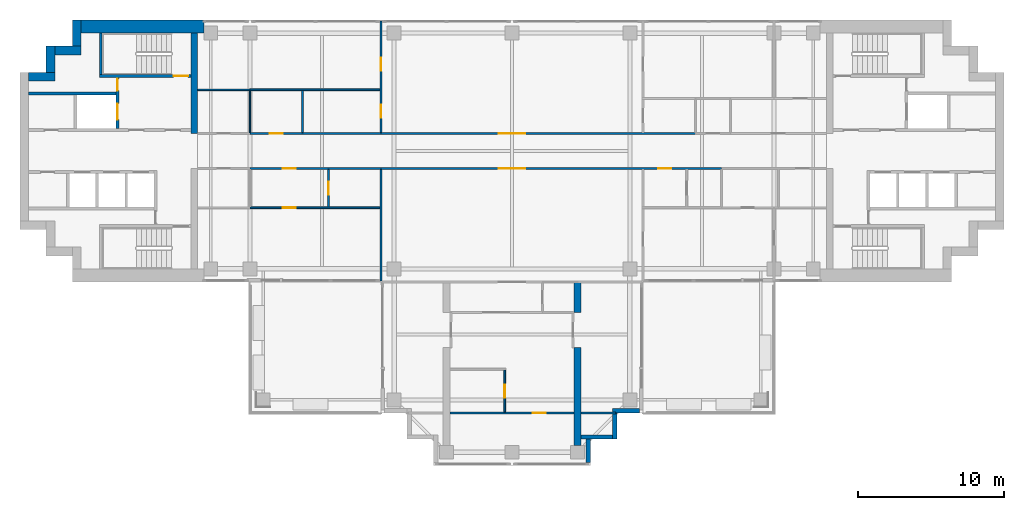
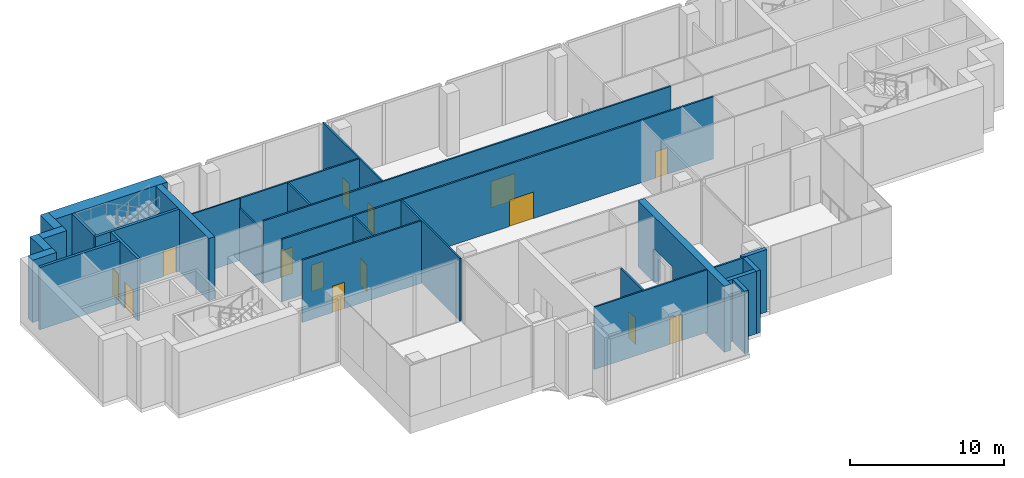
# One storey, part 6 of 12: 28 walls, 14 doors, 14 openings.
"""IFC4 building model written with IfcOpenShell, lengths in metres."""

from ifc_helpers import new_model, si_unit, direction, frame, frame_2d, origin, place, context, subcontext, project, spatial, polyline, rectangle, outline, extrude, material, layer, layer_set, material_profile, profile_set, type_object, element, fill, save


model = new_model("IFC4")

# Units and contexts
model_context = context("Model", 3, precision=1e-05, world=origin(), true_north=direction((0.0, 1.0)))
body_context = subcontext(model_context, "Body", "Model", "MODEL_VIEW")
ifc_project = project(units=[si_unit("LENGTHUNIT", "METRE"), si_unit("AREAUNIT", "SQUARE_METRE"), si_unit("VOLUMEUNIT", "CUBIC_METRE"), si_unit("PLANEANGLEUNIT", "RADIAN"), si_unit("MASSUNIT", "GRAM", prefix="KILO")], contexts=[model_context])

# Site, building, storey
site_placement = place(None, origin())
site = spatial("IfcSite", under=ifc_project, at=site_placement, CompositionType="ELEMENT")
building_placement = place(site_placement, origin())
building = spatial("IfcBuilding", under=site, at=building_placement, Name="Perihelion Cross Residences", CompositionType="ELEMENT")
storey_placement = place(building_placement, frame((0.0, 0.0, 222.60009765625)))
storey = spatial("IfcBuildingStorey", under=building, at=storey_placement, Name="L56", CompositionType="ELEMENT", Elevation=222.60009765625)

# Walls
ifc_material_1 = material(Name="Concrete C30/37, bronze-clad", Category="concrete")
ifc_layer_1 = layer(ifc_material_1, 0.300048828125)
ifc_layer_set_1 = layer_set([ifc_layer_1], Name="Bronze-clad serration wall 300")
wall_type_1 = type_object("IfcWallType", Name="Bronze-clad serration wall 300", PredefinedType="SOLIDWALL", material=ifc_layer_set_1)
wall_1_placement = place(storey_placement, frame((5.25, -21.389892578125, 0.0), z_axis=(0.0, 0.0, 1.0), x_axis=(0.0, 1.0, 0.0)))
element("IfcWall", 1, at=wall_1_placement, inside=storey, type_object=wall_type_1, Name="Wall SR1 L56 south corner south-east 1", PredefinedType="SOLIDWALL", context=body_context, shape_type="SweptSolid", body=[
    extrude(rectangle(XDim=1.58984375, YDim=0.300048828125, at=frame_2d((0.794921875, 0.0))), origin(), (0.0, 0.0, 1.0), 4.949951171875),
])
wall_2_placement = place(storey_placement, frame((4.75, -19.64990234375, 0.0), z_axis=(0.0, 0.0, 1.0), x_axis=(1.0, 0.0, 0.0)))
element("IfcWall", 2, at=wall_2_placement, inside=storey, type_object=wall_type_1, Name="Wall SR1 L56 south corner south-east 2", PredefinedType="SOLIDWALL", context=body_context, shape_type="SweptSolid", body=[
    extrude(rectangle(XDim=2.14990234375, YDim=0.300048828125, at=frame_2d((1.074951171875, 0.0))), origin(), (0.0, 0.0, 1.0), 4.949951171875),
])
wall_3_placement = place(storey_placement, frame((7.050048828125, -19.800048828125, 0.0), z_axis=(0.0, 0.0, 1.0), x_axis=(0.0, 1.0, 0.0)))
element("IfcWall", 3, at=wall_3_placement, inside=storey, type_object=wall_type_1, Name="Wall SR1 L56 south corner south-east 3", PredefinedType="SOLIDWALL", context=body_context, shape_type="SweptSolid", body=[
    extrude(rectangle(XDim=1.800048828125, YDim=0.300048828125, at=frame_2d((0.89990234375, 0.0))), origin(), (0.0, 0.0, 1.0), 4.949951171875),
])
wall_4_placement = place(storey_placement, frame((6.89990234375, -17.85009765625, 0.0), z_axis=(0.0, 0.0, 1.0), x_axis=(1.0, 0.0, 0.0)))
element("IfcWall", 4, at=wall_4_placement, inside=storey, type_object=wall_type_1, Name="Wall SR1 L56 south corner south-east 4", PredefinedType="SOLIDWALL", context=body_context, shape_type="SweptSolid", body=[
    extrude(rectangle(XDim=1.85009765625, YDim=0.300048828125, at=frame_2d((0.925048828125, 0.0))), origin(), (0.0, 0.0, 1.0), 4.949951171875),
])
ifc_material_2 = material(Name="Concrete C60/75", Category="concrete")
ifc_layer_2 = layer(ifc_material_2, 0.449951171875)
ifc_layer_set_2 = layer_set([ifc_layer_2], Name="Core wall, inner 450")
wall_type_2 = type_object("IfcWallType", Name="Core wall, inner 450", PredefinedType="SHEAR", material=ifc_layer_set_2)
wall_5_placement = place(storey_placement, frame((-21.824951171875, 1.199951171875, 0.0), z_axis=(0.0, 0.0, 1.0), x_axis=(0.0, 1.0, 0.0)))
element("IfcWall", 5, at=wall_5_placement, inside=storey, type_object=wall_type_2, Name="West core core wall, inner", PredefinedType="SHEAR", context=body_context, shape_type="SweptSolid", body=[
    extrude(rectangle(XDim=6.900146484375, YDim=0.449951171875, at=frame_2d((3.4501953125, 0.0))), origin(), (0.0, 0.0, 1.0), 4.949951171875),
])
ifc_material_3 = material(Name="Concrete C60/75", Category="concrete")
ifc_layer_3 = layer(ifc_material_3, 0.60009765625)
ifc_layer_set_3 = layer_set([ifc_layer_3], Name="Core wall, outer 600")
wall_type_3 = type_object("IfcWallType", Name="Core wall, outer 600", PredefinedType="SHEAR", material=ifc_layer_set_3)
for number, where, z_axis, x_axis, name in (
    (6, (-33.199951171875, 5.10009765625, 0.0), (0.0, 0.0, 1.0), (1.0, 0.0, 0.0), "West core core wall, outer"),
    (7, (-31.699951171875, 5.39990234375, 0.0), (0.0, 0.0, 1.0), (0.0, 1.0, 0.0), "West core core wall, outer"),
):
    element("IfcWall", number, at=place(storey_placement, frame(where, z_axis=z_axis, x_axis=x_axis)), inside=storey, type_object=wall_type_3, Name=name, PredefinedType="SHEAR", context=body_context, shape_type="SweptSolid", body=[
        extrude(rectangle(XDim=1.800048828125, YDim=0.60009765625, at=frame_2d((0.89990234375, 0.0))), origin(), (0.0, 0.0, 1.0), 4.949951171875),
    ])
wall_6_placement = place(storey_placement, frame((-31.39990234375, 6.89990234375, 0.0), z_axis=(0.0, 0.0, 1.0), x_axis=(1.0, 0.0, 0.0)))
element("IfcWall", 8, at=wall_6_placement, inside=storey, type_object=wall_type_3, Name="West core core wall, outer", PredefinedType="SHEAR", context=body_context, shape_type="SweptSolid", body=[
    extrude(rectangle(XDim=1.7998046875, YDim=0.60009765625, at=frame_2d((0.89990234375, 0.0))), origin(), (0.0, 0.0, 1.0), 4.949951171875),
])
wall_7_placement = place(storey_placement, frame((-29.89990234375, 7.199951171875, 0.0), z_axis=(0.0, 0.0, 1.0), x_axis=(0.0, 1.0, 0.0)))
element("IfcWall", 9, at=wall_7_placement, inside=storey, type_object=wall_type_3, Name="West core core wall, outer", PredefinedType="SHEAR", context=body_context, shape_type="SweptSolid", body=[
    extrude(rectangle(XDim=1.800048828125, YDim=0.60009765625, at=frame_2d((0.89990234375, 0.0))), origin(), (0.0, 0.0, 1.0), 4.949951171875),
])
ifc_material_4 = material(Name="Concrete C60/75", Category="concrete")
ifc_layer_4 = layer(ifc_material_4, 0.89990234375)
ifc_layer_set_4 = layer_set([ifc_layer_4], Name="Core wall, outer 900")
wall_type_4 = type_object("IfcWallType", Name="Core wall, outer 900", PredefinedType="SHEAR", material=ifc_layer_set_4)
wall_8_placement = place(storey_placement, frame((-29.60009765625, 8.550048828125, 0.0), z_axis=(0.0, 0.0, 1.0), x_axis=(1.0, 0.0, 0.0)))
element("IfcWall", 10, at=wall_8_placement, inside=storey, type_object=wall_type_4, Name="West core core wall, outer", PredefinedType="SHEAR", context=body_context, shape_type="SweptSolid", body=[
    extrude(rectangle(XDim=8.425048828125, YDim=0.89990234375, at=frame_2d((4.21240234375, 0.0))), origin(), (0.0, 0.0, 1.0), 4.949951171875),
])

# Wall, openings, doors
ifc_material_5 = material(Name="Plasterboard partition")
ifc_layer_5 = layer(ifc_material_5, 0.1201171875)
ifc_layer_set_5 = layer_set([ifc_layer_5], Name="Partition wall 120")
wall_type_5 = type_object("IfcWallType", Name="Partition wall 120", PredefinedType="PARTITIONING", material=ifc_layer_set_5)
wall_9_placement = place(storey_placement, frame((-18.0, 1.199951171875, 0.0), z_axis=(0.0, 0.0, 1.0), x_axis=(1.0, 0.0, 0.0)))
wall_9 = element("IfcWall", 11, at=wall_9_placement, inside=storey, type_object=wall_type_5, Name="Partition L56 W001", PredefinedType="PARTITIONING", context=body_context, shape_type="SweptSolid", body=[
    extrude(rectangle(XDim=30.60009765625, YDim=0.1201171875, at=frame_2d((15.300048828125, 0.0))), origin(), (0.0, 0.0, 1.0), 4.949951171875),
])
opening_1_placement = place(wall_9_placement, frame((17.10009765625, 0.0, 0.0)))
opening_1 = element("IfcOpeningElement", 12, at=opening_1_placement, cuts=wall_9, Name="Opening L56.A01", PredefinedType="OPENING", context=body_context, shape_type="SweptSolid", body=[
    extrude(rectangle(XDim=1.800048828125, YDim=2.10009765625, at=frame_2d((0.89990234375, 1.050048828125))), frame((0.0, 0.070068359375, 0.0), z_axis=(0.0, -1.0, 0.0), x_axis=(1.0, 0.0, 0.0)), (0.0, 0.0, 1.0), 0.14013671875),
])
opening_2_placement = place(wall_9_placement, frame((1.35009765625, 0.0, 0.0)))
opening_2 = element("IfcOpeningElement", 13, at=opening_2_placement, cuts=wall_9, Name="Opening L56.A07", PredefinedType="OPENING", context=body_context, shape_type="SweptSolid", body=[
    extrude(rectangle(XDim=0.89990234375, YDim=2.10009765625, at=frame_2d((0.449951171875, 1.050048828125))), frame((0.0, 0.070068359375, 0.0), z_axis=(0.0, -1.0, 0.0), x_axis=(1.0, 0.0, 0.0)), (0.0, 0.0, 1.0), 0.14013671875),
])
ifc_material_6 = material(Name="Glazed timber door leaf", Category="wood")
door_type_1 = type_object("IfcDoorType", Name="Interior double leaf door 1800 x 2100", OperationType="DOUBLE_DOOR_SINGLE_SWING", PredefinedType="DOOR", material=ifc_material_6)
door_1_placement = place(opening_1_placement, origin())
door_1 = element("IfcDoor", 14, at=door_1_placement, inside=storey, type_object=door_type_1, Name="Door L56.A01", OperationType="SINGLE_SWING_LEFT", OverallHeight=2.10009765625, OverallWidth=1.800048828125, PredefinedType="DOOR", context=body_context, shape_type="SweptSolid", body=[
    extrude(rectangle(XDim=1.800048828125, YDim=2.10009765625, at=frame_2d((0.89990234375, 1.050048828125))), frame((0.0, 0.02490234375, 0.0), z_axis=(0.0, -1.0, 0.0), x_axis=(1.0, 0.0, 0.0)), (0.0, 0.0, 1.0), 0.050048828125),
])
fill(opening_1, door_1)
ifc_material_7 = material(Name="Timber door leaf", Category="wood")
door_type_2 = type_object("IfcDoorType", Name="Interior room door 900 x 2100", OperationType="SINGLE_SWING_LEFT", PredefinedType="DOOR", material=ifc_material_7)
door_2_placement = place(opening_2_placement, origin())
door_2 = element("IfcDoor", 15, at=door_2_placement, inside=storey, type_object=door_type_2, Name="Door L56.A07", OperationType="SINGLE_SWING_RIGHT", OverallHeight=2.10009765625, OverallWidth=0.89990234375, PredefinedType="DOOR", context=body_context, shape_type="SweptSolid", body=[
    extrude(rectangle(XDim=0.89990234375, YDim=2.10009765625, at=frame_2d((0.449951171875, 1.050048828125))), frame((0.0, 0.02490234375, 0.0), z_axis=(0.0, -1.0, 0.0), x_axis=(1.0, 0.0, 0.0)), (0.0, 0.0, 1.0), 0.050048828125),
])
fill(opening_2, door_2)

wall_10_placement = place(storey_placement, frame((14.39990234375, -1.199951171875, 0.0), z_axis=(0.0, 0.0, 1.0), x_axis=(-1.0, 0.0, 0.0)))
wall_10 = element("IfcWall", 16, at=wall_10_placement, inside=storey, type_object=wall_type_5, Name="Partition L56 W002", PredefinedType="PARTITIONING", context=body_context, shape_type="SweptSolid", body=[
    extrude(rectangle(XDim=32.39990234375, YDim=0.1201171875, at=frame_2d((16.199951171875, 0.0))), origin(), (0.0, 0.0, 1.0), 4.949951171875),
])
opening_3_placement = place(wall_10_placement, frame((13.5, 0.0, 0.0)))
opening_3 = element("IfcOpeningElement", 17, at=opening_3_placement, cuts=wall_10, Name="Opening L56.A02", PredefinedType="OPENING", context=body_context, shape_type="SweptSolid", body=[
    extrude(rectangle(XDim=1.800048828125, YDim=2.10009765625, at=frame_2d((0.89990234375, 1.050048828125))), frame((0.0, 0.070068359375, 0.0), z_axis=(0.0, -1.0, 0.0), x_axis=(1.0, 0.0, 0.0)), (0.0, 0.0, 1.0), 0.14013671875),
])
opening_4_placement = place(wall_10_placement, frame((3.449951171875, 0.0, 0.0)))
opening_4 = element("IfcOpeningElement", 18, at=opening_4_placement, cuts=wall_10, Name="Opening L56.A05", PredefinedType="OPENING", context=body_context, shape_type="SweptSolid", body=[
    extrude(rectangle(XDim=0.89990234375, YDim=2.10009765625, at=frame_2d((0.449951171875, 1.050048828125))), frame((0.0, 0.070068359375, 0.0), z_axis=(0.0, -1.0, 0.0), x_axis=(1.0, 0.0, 0.0)), (0.0, 0.0, 1.0), 0.14013671875),
])
opening_5_placement = place(wall_10_placement, frame((29.25, 0.0, 0.0)))
opening_5 = element("IfcOpeningElement", 19, at=opening_5_placement, cuts=wall_10, Name="Opening L56.A09", PredefinedType="OPENING", context=body_context, shape_type="SweptSolid", body=[
    extrude(rectangle(XDim=0.89990234375, YDim=2.10009765625, at=frame_2d((0.449951171875, 1.050048828125))), frame((0.0, 0.070068359375, 0.0), z_axis=(0.0, -1.0, 0.0), x_axis=(1.0, 0.0, 0.0)), (0.0, 0.0, 1.0), 0.14013671875),
])
door_3_placement = place(opening_3_placement, origin())
door_3 = element("IfcDoor", 20, at=door_3_placement, inside=storey, type_object=door_type_1, Name="Door L56.A02", OperationType="SINGLE_SWING_LEFT", OverallHeight=2.10009765625, OverallWidth=1.800048828125, PredefinedType="DOOR", context=body_context, shape_type="SweptSolid", body=[
    extrude(rectangle(XDim=1.800048828125, YDim=2.10009765625, at=frame_2d((0.89990234375, 1.050048828125))), frame((0.0, 0.02490234375, 0.0), z_axis=(0.0, -1.0, 0.0), x_axis=(1.0, 0.0, 0.0)), (0.0, 0.0, 1.0), 0.050048828125),
])
fill(opening_3, door_3)
door_4_placement = place(opening_4_placement, origin())
door_4 = element("IfcDoor", 21, at=door_4_placement, inside=storey, type_object=door_type_2, Name="Door L56.A05", OperationType="SINGLE_SWING_LEFT", OverallHeight=2.10009765625, OverallWidth=0.89990234375, PredefinedType="DOOR", context=body_context, shape_type="SweptSolid", body=[
    extrude(rectangle(XDim=0.89990234375, YDim=2.10009765625, at=frame_2d((0.449951171875, 1.050048828125))), frame((0.0, 0.02490234375, 0.0), z_axis=(0.0, -1.0, 0.0), x_axis=(1.0, 0.0, 0.0)), (0.0, 0.0, 1.0), 0.050048828125),
])
fill(opening_4, door_4)
door_5_placement = place(opening_5_placement, origin())
door_5 = element("IfcDoor", 22, at=door_5_placement, inside=storey, type_object=door_type_2, Name="Door L56.A09", OperationType="SINGLE_SWING_LEFT", OverallHeight=2.10009765625, OverallWidth=0.89990234375, PredefinedType="DOOR", context=body_context, shape_type="SweptSolid", body=[
    extrude(rectangle(XDim=0.89990234375, YDim=2.10009765625, at=frame_2d((0.449951171875, 1.050048828125))), frame((0.0, 0.02490234375, 0.0), z_axis=(0.0, -1.0, 0.0), x_axis=(1.0, 0.0, 0.0)), (0.0, 0.0, 1.0), 0.050048828125),
])
fill(opening_5, door_5)

wall_11_placement = place(storey_placement, frame((-9.0, 1.260009765625, 0.0), z_axis=(0.0, 0.0, 1.0), x_axis=(0.0, 1.0, 0.0)))
wall_11 = element("IfcWall", 23, at=wall_11_placement, inside=storey, type_object=wall_type_5, Name="Partition L56 W009", PredefinedType="PARTITIONING", context=body_context, shape_type="SweptSolid", body=[
    extrude(rectangle(XDim=7.659912109375, YDim=0.1201171875, at=frame_2d((3.830078125, 0.0))), origin(), (0.0, 0.0, 1.0), 4.949951171875),
])
opening_6_placement = place(wall_11_placement, frame((4.239990234375, 0.0, 0.0)))
opening_6 = element("IfcOpeningElement", 24, at=opening_6_placement, cuts=wall_11, Name="Opening L56.A15", PredefinedType="OPENING", context=body_context, shape_type="SweptSolid", body=[
    extrude(rectangle(XDim=0.89990234375, YDim=2.10009765625, at=frame_2d((0.449951171875, 1.050048828125))), frame((0.0, 0.070068359375, 0.0), z_axis=(0.0, -1.0, 0.0), x_axis=(1.0, 0.0, 0.0)), (0.0, 0.0, 1.0), 0.14013671875),
])
opening_7_placement = place(wall_11_placement, frame((1.02001953125, 0.0, 0.0)))
opening_7 = element("IfcOpeningElement", 25, at=opening_7_placement, cuts=wall_11, Name="Opening L56.A20", PredefinedType="OPENING", context=body_context, shape_type="SweptSolid", body=[
    extrude(rectangle(XDim=0.89990234375, YDim=2.10009765625, at=frame_2d((0.449951171875, 1.050048828125))), frame((0.0, 0.070068359375, 0.0), z_axis=(0.0, -1.0, 0.0), x_axis=(1.0, 0.0, 0.0)), (0.0, 0.0, 1.0), 0.14013671875),
])
door_6_placement = place(opening_6_placement, origin())
door_6 = element("IfcDoor", 26, at=door_6_placement, inside=storey, type_object=door_type_2, Name="Door L56.A15", OperationType="SINGLE_SWING_RIGHT", OverallHeight=2.10009765625, OverallWidth=0.89990234375, PredefinedType="DOOR", context=body_context, shape_type="SweptSolid", body=[
    extrude(rectangle(XDim=0.89990234375, YDim=2.10009765625, at=frame_2d((0.449951171875, 1.050048828125))), frame((0.0, 0.02490234375, 0.0), z_axis=(0.0, -1.0, 0.0), x_axis=(1.0, 0.0, 0.0)), (0.0, 0.0, 1.0), 0.050048828125),
])
fill(opening_6, door_6)
door_7_placement = place(opening_7_placement, origin())
door_7 = element("IfcDoor", 27, at=door_7_placement, inside=storey, type_object=door_type_2, Name="Door L56.A20", OperationType="SINGLE_SWING_LEFT", OverallHeight=2.10009765625, OverallWidth=0.89990234375, PredefinedType="DOOR", context=body_context, shape_type="SweptSolid", body=[
    extrude(rectangle(XDim=0.89990234375, YDim=2.10009765625, at=frame_2d((0.449951171875, 1.050048828125))), frame((0.0, 0.02490234375, 0.0), z_axis=(0.0, -1.0, 0.0), x_axis=(1.0, 0.0, 0.0)), (0.0, 0.0, 1.0), 0.050048828125),
])
fill(opening_7, door_7)

# Walls
wall_12_placement = place(storey_placement, frame((-9.0, -8.919921875, 0.0), z_axis=(0.0, 0.0, 1.0), x_axis=(0.0, 1.0, 0.0)))
element("IfcWall", 28, at=wall_12_placement, inside=storey, type_object=wall_type_5, Name="Partition L56 W011", PredefinedType="PARTITIONING", context=body_context, shape_type="SweptSolid", body=[
    extrude(rectangle(XDim=7.659912109375, YDim=0.1201171875, at=frame_2d((3.830078125, 0.0))), origin(), (0.0, 0.0, 1.0), 4.949951171875),
])
wall_13_placement = place(storey_placement, frame((-8.93994140625, 4.199951171875, 0.0), z_axis=(0.0, 0.0, 1.0), x_axis=(-1.0, 0.0, 0.0)))
element("IfcWall", 29, at=wall_13_placement, inside=storey, type_object=wall_type_5, Name="Partition L56 W027", PredefinedType="PARTITIONING", context=body_context, shape_type="SweptSolid", body=[
    extrude(rectangle(XDim=9.06005859375, YDim=0.1201171875, at=frame_2d((4.530029296875, 0.0))), origin(), (0.0, 0.0, 1.0), 4.949951171875),
])
wall_14_placement = place(storey_placement, frame((-14.39990234375, 1.260009765625, 0.0), z_axis=(0.0, 0.0, 1.0), x_axis=(0.0, 1.0, 0.0)))
element("IfcWall", 30, at=wall_14_placement, inside=storey, type_object=wall_type_5, Name="Partition L56 W029", PredefinedType="PARTITIONING", context=body_context, shape_type="SweptSolid", body=[
    extrude(rectangle(XDim=2.8798828125, YDim=0.1201171875, at=frame_2d((1.43994140625, 0.0))), origin(), (0.0, 0.0, 1.0), 4.949951171875),
])

# Wall, opening, door
wall_15_placement = place(storey_placement, frame((-18.0, -3.89990234375, 0.0), z_axis=(0.0, 0.0, 1.0), x_axis=(1.0, 0.0, 0.0)))
wall_15 = element("IfcWall", 31, at=wall_15_placement, inside=storey, type_object=wall_type_5, Name="Partition L56 W031", PredefinedType="PARTITIONING", context=body_context, shape_type="SweptSolid", body=[
    extrude(rectangle(XDim=9.06005859375, YDim=0.1201171875, at=frame_2d((4.530029296875, 0.0))), origin(), (0.0, 0.0, 1.0), 4.949951171875),
])
opening_8_placement = place(wall_15_placement, frame((2.25, 0.0, 0.0)))
opening_8 = element("IfcOpeningElement", 32, at=opening_8_placement, cuts=wall_15, Name="Opening L56.A17", PredefinedType="OPENING", context=body_context, shape_type="SweptSolid", body=[
    extrude(rectangle(XDim=0.89990234375, YDim=2.10009765625, at=frame_2d((0.449951171875, 1.050048828125))), frame((0.0, 0.070068359375, 0.0), z_axis=(0.0, -1.0, 0.0), x_axis=(1.0, 0.0, 0.0)), (0.0, 0.0, 1.0), 0.14013671875),
])
door_8_placement = place(opening_8_placement, origin())
door_8 = element("IfcDoor", 33, at=door_8_placement, inside=storey, type_object=door_type_2, Name="Door L56.A17", OperationType="SINGLE_SWING_RIGHT", OverallHeight=2.10009765625, OverallWidth=0.89990234375, PredefinedType="DOOR", context=body_context, shape_type="SweptSolid", body=[
    extrude(rectangle(XDim=0.89990234375, YDim=2.10009765625, at=frame_2d((0.449951171875, 1.050048828125))), frame((0.0, 0.02490234375, 0.0), z_axis=(0.0, -1.0, 0.0), x_axis=(1.0, 0.0, 0.0)), (0.0, 0.0, 1.0), 0.050048828125),
])
fill(opening_8, door_8)

wall_16_placement = place(storey_placement, frame((-12.60009765625, -3.840087890625, 0.0), z_axis=(0.0, 0.0, 1.0), x_axis=(0.0, 1.0, 0.0)))
wall_16 = element("IfcWall", 34, at=wall_16_placement, inside=storey, type_object=wall_type_5, Name="Partition L56 W033", PredefinedType="PARTITIONING", context=body_context, shape_type="SweptSolid", body=[
    extrude(rectangle(XDim=2.580078125, YDim=0.1201171875, at=frame_2d((1.2900390625, 0.0))), origin(), (0.0, 0.0, 1.0), 4.949951171875),
])
opening_9_placement = place(wall_16_placement, frame((0.840087890625, 0.0, 0.0)))
opening_9 = element("IfcOpeningElement", 35, at=opening_9_placement, cuts=wall_16, Name="Opening L56.A21", PredefinedType="OPENING", context=body_context, shape_type="SweptSolid", body=[
    extrude(rectangle(XDim=0.89990234375, YDim=2.10009765625, at=frame_2d((0.449951171875, 1.050048828125))), frame((0.0, 0.070068359375, 0.0), z_axis=(0.0, -1.0, 0.0), x_axis=(1.0, 0.0, 0.0)), (0.0, 0.0, 1.0), 0.14013671875),
])
door_9_placement = place(opening_9_placement, origin())
door_9 = element("IfcDoor", 36, at=door_9_placement, inside=storey, type_object=door_type_2, Name="Door L56.A21", OperationType="SINGLE_SWING_LEFT", OverallHeight=2.10009765625, OverallWidth=0.89990234375, PredefinedType="DOOR", context=body_context, shape_type="SweptSolid", body=[
    extrude(rectangle(XDim=0.89990234375, YDim=2.10009765625, at=frame_2d((0.449951171875, 1.050048828125))), frame((0.0, 0.02490234375, 0.0), z_axis=(0.0, -1.0, 0.0), x_axis=(1.0, 0.0, 0.0)), (0.0, 0.0, 1.0), 0.050048828125),
])
fill(opening_9, door_9)

wall_17_placement = place(storey_placement, frame((-0.5, -17.93994140625, 0.0), z_axis=(0.0, 0.0, 1.0), x_axis=(0.0, 1.0, 0.0)))
wall_17 = element("IfcWall", 37, at=wall_17_placement, inside=storey, type_object=wall_type_5, Name="Partition L56 W038", PredefinedType="PARTITIONING", context=body_context, shape_type="SweptSolid", body=[
    extrude(rectangle(XDim=2.8798828125, YDim=0.1201171875, at=frame_2d((1.43994140625, 0.0))), origin(), (0.0, 0.0, 1.0), 4.949951171875),
])
opening_10_placement = place(wall_17_placement, frame((0.989990234375, 0.0, 0.0)))
opening_10 = element("IfcOpeningElement", 38, at=opening_10_placement, cuts=wall_17, Name="Opening L56.A25", PredefinedType="OPENING", context=body_context, shape_type="SweptSolid", body=[
    extrude(rectangle(XDim=0.89990234375, YDim=2.10009765625, at=frame_2d((0.449951171875, 1.050048828125))), frame((0.0, 0.070068359375, 0.0), z_axis=(0.0, -1.0, 0.0), x_axis=(1.0, 0.0, 0.0)), (0.0, 0.0, 1.0), 0.14013671875),
])
door_10_placement = place(opening_10_placement, origin())
door_10 = element("IfcDoor", 39, at=door_10_placement, inside=storey, type_object=door_type_2, Name="Door L56.A25", OperationType="SINGLE_SWING_LEFT", OverallHeight=2.10009765625, OverallWidth=0.89990234375, PredefinedType="DOOR", context=body_context, shape_type="SweptSolid", body=[
    extrude(rectangle(XDim=0.89990234375, YDim=2.10009765625, at=frame_2d((0.449951171875, 1.050048828125))), frame((0.0, 0.02490234375, 0.0), z_axis=(0.0, -1.0, 0.0), x_axis=(1.0, 0.0, 0.0)), (0.0, 0.0, 1.0), 0.050048828125),
])
fill(opening_10, door_10)

wall_18_placement = place(storey_placement, frame((4.25, -18.0, 0.0), z_axis=(0.0, 0.0, 1.0), x_axis=(-1.0, 0.0, 0.0)))
wall_18 = element("IfcWall", 40, at=wall_18_placement, inside=storey, type_object=wall_type_5, Name="Partition L56 W040", PredefinedType="PARTITIONING", context=body_context, shape_type="SweptSolid", body=[
    extrude(rectangle(XDim=8.5, YDim=0.1201171875, at=frame_2d((4.25, 0.0))), origin(), (0.0, 0.0, 1.0), 4.949951171875),
])
opening_11_placement = place(wall_18_placement, frame((1.925048828125, 0.0, 0.0)))
opening_11 = element("IfcOpeningElement", 41, at=opening_11_placement, cuts=wall_18, Name="Opening L56.A26", PredefinedType="OPENING", context=body_context, shape_type="SweptSolid", body=[
    extrude(rectangle(XDim=0.89990234375, YDim=2.10009765625, at=frame_2d((0.449951171875, 1.050048828125))), frame((0.0, 0.070068359375, 0.0), z_axis=(0.0, -1.0, 0.0), x_axis=(1.0, 0.0, 0.0)), (0.0, 0.0, 1.0), 0.14013671875),
])
door_11_placement = place(opening_11_placement, origin())
door_11 = element("IfcDoor", 42, at=door_11_placement, inside=storey, type_object=door_type_2, Name="Door L56.A26", OperationType="SINGLE_SWING_LEFT", OverallHeight=2.10009765625, OverallWidth=0.89990234375, PredefinedType="DOOR", context=body_context, shape_type="SweptSolid", body=[
    extrude(rectangle(XDim=0.89990234375, YDim=2.10009765625, at=frame_2d((0.449951171875, 1.050048828125))), frame((0.0, 0.02490234375, 0.0), z_axis=(0.0, -1.0, 0.0), x_axis=(1.0, 0.0, 0.0)), (0.0, 0.0, 1.0), 0.050048828125),
])
fill(opening_11, door_11)

# Walls
wall_19_placement = place(storey_placement, frame((7.1201171875, -18.0, 0.0), z_axis=(0.0, 0.0, 1.0), x_axis=(-1.0, 0.0, 0.0)))
element("IfcWall", 43, at=wall_19_placement, inside=storey, type_object=wall_type_5, Name="Partition L56 W041", PredefinedType="PARTITIONING", context=body_context, shape_type="SweptSolid", body=[
    extrude(rectangle(XDim=2.3701171875, YDim=0.1201171875, at=frame_2d((1.18505859375, 0.0))), origin(), (0.0, 0.0, 1.0), 4.949951171875),
])
ifc_material_8 = material(Name="Concrete C50/60", Category="concrete")
ifc_layer_6 = layer(ifc_material_8, 0.199951171875)
ifc_layer_set_6 = layer_set([ifc_layer_6], Name="Shaft wall 200")
wall_type_6 = type_object("IfcWallType", Name="Shaft wall 200", PredefinedType="SOLIDWALL", material=ifc_layer_set_6)
wall_20_placement = place(storey_placement, frame((-33.199951171875, 3.949951171875, 0.0), z_axis=(0.0, 0.0, 1.0), x_axis=(1.0, 0.0, 0.0)))
element("IfcWall", 44, at=wall_20_placement, inside=storey, type_object=wall_type_6, Name="West core shaft wall", PredefinedType="SOLIDWALL", context=body_context, shape_type="SweptSolid", body=[
    extrude(rectangle(XDim=6.0, YDim=0.199951171875, at=frame_2d((3.0, 0.0))), origin(), (0.0, 0.0, 1.0), 4.949951171875),
])

# Wall, openings, doors
wall_21_placement = place(storey_placement, frame((-27.10009765625, 1.550048828125, 0.0), z_axis=(0.0, 0.0, 1.0), x_axis=(0.0, 1.0, 0.0)))
wall_21 = element("IfcWall", 45, at=wall_21_placement, inside=storey, type_object=wall_type_6, Name="West core shaft wall", PredefinedType="SOLIDWALL", context=body_context, shape_type="SweptSolid", body=[
    extrude(rectangle(XDim=3.5, YDim=0.199951171875, at=frame_2d((1.75, 0.0))), origin(), (0.0, 0.0, 1.0), 4.949951171875),
])
opening_12_placement = place(wall_21_placement, frame((0.60009765625, 0.0, 0.0)))
opening_12 = element("IfcOpeningElement", 46, at=opening_12_placement, cuts=wall_21, Name="Opening L56.C14", PredefinedType="OPENING", context=body_context, shape_type="SweptSolid", body=[
    extrude(rectangle(XDim=1.10009765625, YDim=2.10009765625, at=frame_2d((0.550048828125, 1.050048828125))), frame((0.0, 0.10986328125, 0.0), z_axis=(0.0, -1.0, 0.0), x_axis=(1.0, 0.0, 0.0)), (0.0, 0.0, 1.0), 0.219970703125),
])
opening_13_placement = place(wall_21_placement, frame((2.60009765625, 0.0, 0.0)))
opening_13 = element("IfcOpeningElement", 47, at=opening_13_placement, cuts=wall_21, Name="Opening L56.C22", PredefinedType="OPENING", context=body_context, shape_type="SweptSolid", body=[
    extrude(rectangle(XDim=0.800048828125, YDim=2.10009765625, at=frame_2d((0.39990234375, 1.050048828125))), frame((0.0, 0.10986328125, 0.0), z_axis=(0.0, -1.0, 0.0), x_axis=(1.0, 0.0, 0.0)), (0.0, 0.0, 1.0), 0.219970703125),
])
ifc_material_9 = material(Name="Stainless steel", Category="steel")
door_type_3 = type_object("IfcDoorType", Name="Landing door, firefighting lift 1100", OperationType="DOUBLE_DOOR_SLIDING", PredefinedType="DOOR", material=ifc_material_9)
door_12_placement = place(opening_12_placement, origin())
door_12 = element("IfcDoor", 48, at=door_12_placement, inside=storey, type_object=door_type_3, Name="Landing door, West core firefighting and service lift", OperationType="DOUBLE_DOOR_SLIDING", OverallHeight=2.10009765625, OverallWidth=1.10009765625, PredefinedType="DOOR", context=body_context, shape_type="SweptSolid", body=[
    extrude(rectangle(XDim=1.10009765625, YDim=2.10009765625, at=frame_2d((0.550048828125, 1.050048828125))), frame((0.0, 0.02490234375, 0.0), z_axis=(0.0, -1.0, 0.0), x_axis=(1.0, 0.0, 0.0)), (0.0, 0.0, 1.0), 0.050048828125),
])
fill(opening_12, door_12)
ifc_material_10 = material(Name="Steel, powder coated", Category="steel")
door_type_4 = type_object("IfcDoorType", Name="Riser door 800", OperationType="SINGLE_SWING_LEFT", PredefinedType="DOOR", material=ifc_material_10)
door_13_placement = place(opening_13_placement, origin())
door_13 = element("IfcDoor", 49, at=door_13_placement, inside=storey, type_object=door_type_4, Name="West core riser door", OperationType="SINGLE_SWING_LEFT", OverallHeight=2.10009765625, OverallWidth=0.800048828125, PredefinedType="DOOR", context=body_context, shape_type="SweptSolid", body=[
    extrude(rectangle(XDim=0.800048828125, YDim=2.10009765625, at=frame_2d((0.39990234375, 1.050048828125))), frame((0.0, 0.02490234375, 0.0), z_axis=(0.0, -1.0, 0.0), x_axis=(1.0, 0.0, 0.0)), (0.0, 0.0, 1.0), 0.050048828125),
])
fill(opening_13, door_13)

# Wall, opening, door
ifc_material_11 = material(Name="Concrete C50/60", Category="concrete")
ifc_layer_7 = layer(ifc_material_11, 0.199951171875)
ifc_layer_set_7 = layer_set([ifc_layer_7], Name="Stair wall 200")
wall_type_7 = type_object("IfcWallType", Name="Stair wall 200", PredefinedType="SOLIDWALL", material=ifc_layer_set_7)
wall_22_placement = place(storey_placement, frame((-28.35009765625, 5.14990234375, 0.0), z_axis=(0.0, 0.0, 1.0), x_axis=(1.0, 0.0, 0.0)))
wall_22 = element("IfcWall", 50, at=wall_22_placement, inside=storey, type_object=wall_type_7, Name="West core stair wall", PredefinedType="SOLIDWALL", context=body_context, shape_type="SweptSolid", body=[
    extrude(rectangle(XDim=6.300048828125, YDim=0.199951171875, at=frame_2d((3.14990234375, 0.0))), origin(), (0.0, 0.0, 1.0), 4.949951171875),
])
opening_14_placement = place(wall_22_placement, frame((5.10009765625, 0.0, 0.0)))
opening_14 = element("IfcOpeningElement", 51, at=opening_14_placement, cuts=wall_22, Name="Opening L56.C18", PredefinedType="OPENING", context=body_context, shape_type="SweptSolid", body=[
    extrude(rectangle(XDim=1.0, YDim=2.10009765625, at=frame_2d((0.5, 1.050048828125))), frame((0.0, 0.10986328125, 0.0), z_axis=(0.0, -1.0, 0.0), x_axis=(1.0, 0.0, 0.0)), (0.0, 0.0, 1.0), 0.219970703125),
])
ifc_material_12 = material(Name="Steel, powder coated", Category="steel")
door_type_5 = type_object("IfcDoorType", Name="Stair door 1000", OperationType="SINGLE_SWING_LEFT", PredefinedType="DOOR", material=ifc_material_12)
door_14_placement = place(opening_14_placement, origin())
door_14 = element("IfcDoor", 52, at=door_14_placement, inside=storey, type_object=door_type_5, Name="West core stair door", OperationType="SINGLE_SWING_LEFT", OverallHeight=2.10009765625, OverallWidth=1.0, PredefinedType="DOOR", context=body_context, shape_type="SweptSolid", body=[
    extrude(rectangle(XDim=1.0, YDim=2.10009765625, at=frame_2d((0.5, 1.050048828125))), frame((0.0, 0.02490234375, 0.0), z_axis=(0.0, -1.0, 0.0), x_axis=(1.0, 0.0, 0.0)), (0.0, 0.0, 1.0), 0.050048828125),
])
fill(opening_14, door_14)

# Walls
wall_23_placement = place(storey_placement, frame((-28.25, 5.25, 0.0), z_axis=(0.0, 0.0, 1.0), x_axis=(0.0, 1.0, 0.0)))
element("IfcWall", 53, at=wall_23_placement, inside=storey, type_object=wall_type_7, Name="West core stair wall", PredefinedType="SOLIDWALL", context=body_context, shape_type="SweptSolid", body=[
    extrude(rectangle(XDim=2.85009765625, YDim=0.199951171875, at=frame_2d((1.425048828125, 0.0))), origin(), (0.0, 0.0, 1.0), 4.949951171875),
])
ifc_material_13 = material(Name="Concrete C60/75", Category="concrete")
ifc_material_profile = material_profile(ifc_material_13, outline(polyline([(0.0, 0.0), (6.72509765625, 0.0), (6.72509765625, 2.699951171875), (9.125, 2.699951171875), (9.125, 0.0), (11.22509765625, 0.0), (11.22509765625, 5.25), (0.0, 5.25), (0.0, 0.0)])), Name="Tip spine wall")
ifc_profile_set = profile_set([ifc_material_profile], Name="Concrete C60/75")
wall_type_8 = type_object("IfcWallType", Name="Tip spine wall 500 with 1 door openings 11225 long 5250 high concrete C60/75", PredefinedType="SHEAR", material=ifc_profile_set)
wall_24_placement = place(storey_placement, frame((4.25, -20.22509765625, -0.300048828125), z_axis=(1.0, 0.0, 0.0), x_axis=(0.0, 1.0, 0.0)))
element("IfcWall", 54, at=wall_24_placement, inside=storey, type_object=wall_type_8, Name="Shear wall SW43 L56 south east", PredefinedType="SHEAR", context=body_context, shape_type="SweptSolid", body=[
    extrude(outline(polyline([(0.0, 0.0), (6.72509765625, 0.0), (6.72509765625, 2.699951171875), (9.125, 2.699951171875), (9.125, 0.0), (11.22509765625, 0.0), (11.22509765625, 5.25), (0.0, 5.25), (0.0, 0.0)])), origin(), (0.0, 0.0, 1.0), 0.5),
])
ifc_material_14 = material(Name="Plasterboard partition")
ifc_layer_8 = layer(ifc_material_14, 0.10009765625)
ifc_layer_set_8 = layer_set([ifc_layer_8], Name="Wet room wall 100")
wall_type_9 = type_object("IfcWallType", Name="Wet room wall 100", PredefinedType="PARTITIONING", material=ifc_layer_set_8)
wall_25_placement = place(storey_placement, frame((-18.0, 4.199951171875, 0.0), z_axis=(0.0, 0.0, 1.0), x_axis=(-1.0, 0.0, 0.0)))
element("IfcWall", 55, at=wall_25_placement, inside=storey, type_object=wall_type_9, Name="Partition L56 W028", PredefinedType="PARTITIONING", context=body_context, shape_type="SweptSolid", body=[
    extrude(rectangle(XDim=3.60009765625, YDim=0.10009765625, at=frame_2d((1.800048828125, 0.0))), origin(), (0.0, 0.0, 1.0), 4.949951171875),
])
wall_26_placement = place(storey_placement, frame((-18.0, 1.260009765625, 0.0), z_axis=(0.0, 0.0, 1.0), x_axis=(0.0, 1.0, 0.0)))
element("IfcWall", 56, at=wall_26_placement, inside=storey, type_object=wall_type_9, Name="Partition L56 W030", PredefinedType="PARTITIONING", context=body_context, shape_type="SweptSolid", body=[
    extrude(rectangle(XDim=2.8798828125, YDim=0.10009765625, at=frame_2d((1.43994140625, 0.0))), origin(), (0.0, 0.0, 1.0), 4.179931640625),
])

save(model, "model.ifc")
